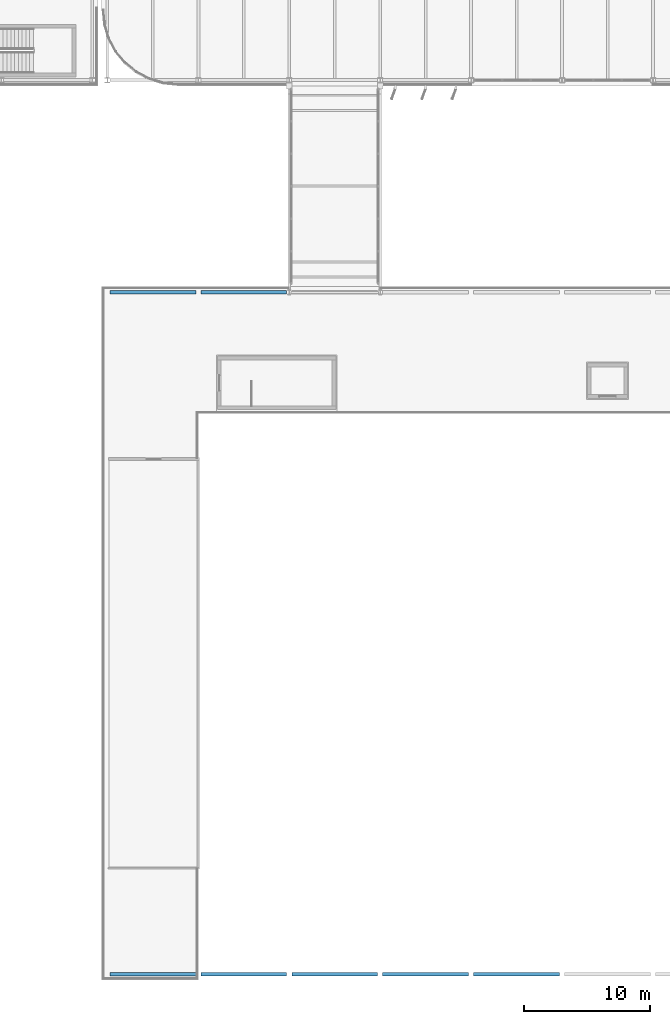
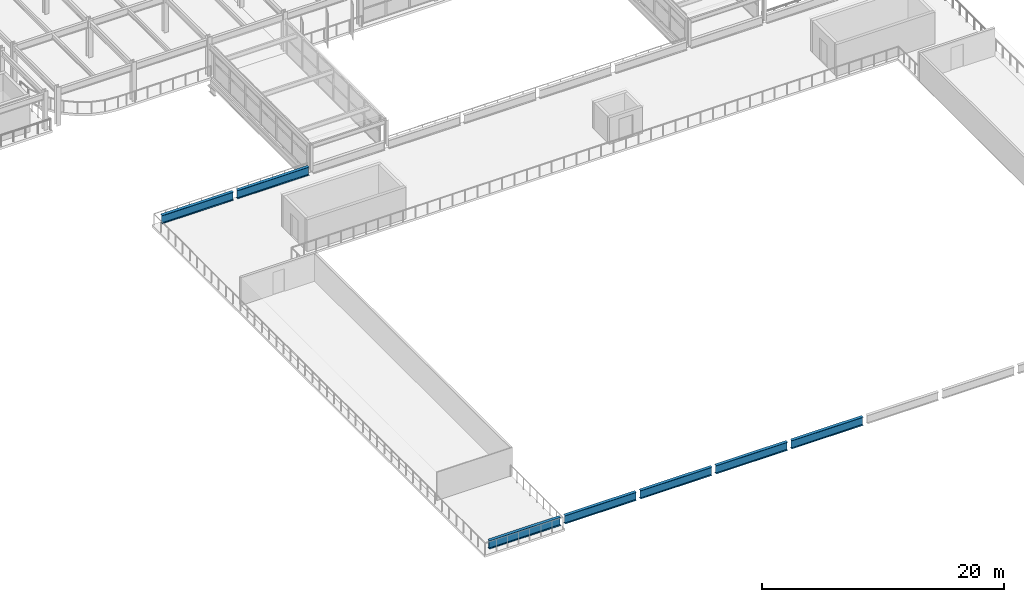
# One storey, part 18 of 93: 7 beams.
"""IFC4 building model written with IfcOpenShell, lengths in metres."""

from ifc_helpers import new_model, si_unit, direction, frame, origin, origin_2d, place, context, subcontext, project, spatial, i_section, extrude, material, material_profile, profile_set, type_object, element, save


model = new_model("IFC4")

# Units and contexts
model_context = context("Model", 3, precision=1e-05, world=origin(), true_north=direction((0.0, 1.0)))
body_context = subcontext(model_context, "Body", "Model", "MODEL_VIEW")
ifc_project = project(units=[si_unit("LENGTHUNIT", "METRE"), si_unit("AREAUNIT", "SQUARE_METRE"), si_unit("VOLUMEUNIT", "CUBIC_METRE"), si_unit("PLANEANGLEUNIT", "RADIAN"), si_unit("MASSUNIT", "GRAM", prefix="KILO")], contexts=[model_context])

# Site, building, storey
site_placement = place(None, origin())
site = spatial("IfcSite", under=ifc_project, at=site_placement, CompositionType="ELEMENT")
building_placement = place(site_placement, origin())
building = spatial("IfcBuilding", under=site, at=building_placement, Name="Vaelcorin Mobility Hub", CompositionType="ELEMENT")
storey_placement = place(building_placement, frame((0.0, 0.0, 5.39990234375)))
storey = spatial("IfcBuildingStorey", under=building, at=storey_placement, Name="L01", CompositionType="ELEMENT", Elevation=5.39990234375)

# Beams
ifc_material = material(Name="Steel ASTM A992 Grade 50", Category="steel")
ifc_material_profile = material_profile(ifc_material, i_section(OverallWidth=0.2919921875, OverallDepth=0.841064453125, WebThickness=0.0146484375, FlangeThickness=0.021728515625, FilletRadius=0.01806640625, at=origin_2d()), Name="W33X130")
ifc_profile_set = profile_set([ifc_material_profile], Name="Steel ASTM A992 Grade 50")
beam_type = type_object("IfcBeamType", Name="BM-W33X130", PredefinedType="BEAM", material=ifc_profile_set)
for number, where, z_axis, x_axis, name in (
    (1, (36.199951171875, 6.0, 0.630126953125), (1.0, 0.0, 0.0), (0.0, 1.0, 0.0), "L01 Beam V1-EAVE-S-01"),
    (2, (36.199951171875, 60.0, 0.630126953125), (1.0, 0.0, 0.0), (0.0, 1.0, 0.0), "L01 Beam V1-EAVE-N-01"),
    (3, (43.39990234375, 6.0, 0.630126953125), (1.0, 0.0, 0.0), (0.0, 1.0, 0.0), "L01 Beam V1-EAVE-S-02"),
    (4, (43.39990234375, 60.0, 0.630126953125), (1.0, 0.0, 0.0), (0.0, 1.0, 0.0), "L01 Beam V1-EAVE-N-02"),
):
    element("IfcBeam", number, at=place(storey_placement, frame(where, z_axis=z_axis, x_axis=x_axis)), inside=storey, type_object=beam_type, Name=name, PredefinedType="BEAM", context=body_context, shape_type="SweptSolid", body=[
        extrude(i_section(OverallWidth=0.2919921875, OverallDepth=0.841064453125, WebThickness=0.0146484375, FlangeThickness=0.021728515625, FilletRadius=0.01806640625, at=origin_2d()), origin(), (0.0, 0.0, 1.0), 6.800048828125),
    ])
beam_placement = place(storey_placement, frame((50.60009765625, 6.0, 0.630126953125), z_axis=(1.0, 0.0, 0.0), x_axis=(0.0, 1.0, 0.0)))
element("IfcBeam", 5, at=beam_placement, inside=storey, type_object=beam_type, Name="L01 Beam V1-EAVE-S-03", PredefinedType="BEAM", context=body_context, shape_type="SweptSolid", body=[
    extrude(i_section(OverallWidth=0.2919921875, OverallDepth=0.841064453125, WebThickness=0.0146484375, FlangeThickness=0.021728515625, FilletRadius=0.01806640625, at=origin_2d()), origin(), (0.0, 0.0, 1.0), 6.7998046875),
])
for number, where, z_axis, x_axis, name in (
    (6, (57.800048828125, 6.0, 0.630126953125), (1.0, 0.0, 0.0), (0.0, 1.0, 0.0), "L01 Beam V1-EAVE-S-04"),
    (7, (65.0, 6.0, 0.630126953125), (1.0, 0.0, 0.0), (0.0, 1.0, 0.0), "L01 Beam V1-EAVE-S-05"),
):
    element("IfcBeam", number, at=place(storey_placement, frame(where, z_axis=z_axis, x_axis=x_axis)), inside=storey, type_object=beam_type, Name=name, PredefinedType="BEAM", context=body_context, shape_type="SweptSolid", body=[
        extrude(i_section(OverallWidth=0.2919921875, OverallDepth=0.841064453125, WebThickness=0.0146484375, FlangeThickness=0.021728515625, FilletRadius=0.01806640625, at=origin_2d()), origin(), (0.0, 0.0, 1.0), 6.800048828125),
    ])

save(model, "model.ifc")
